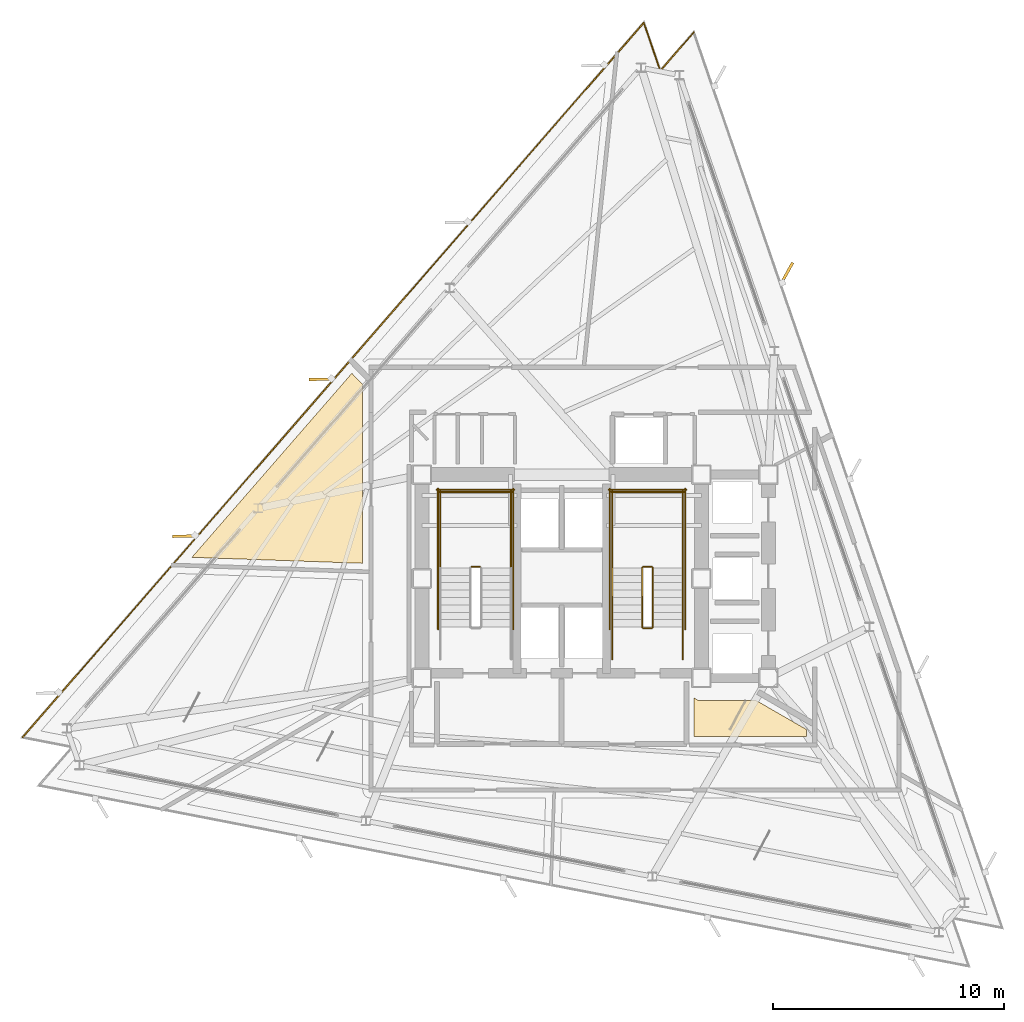
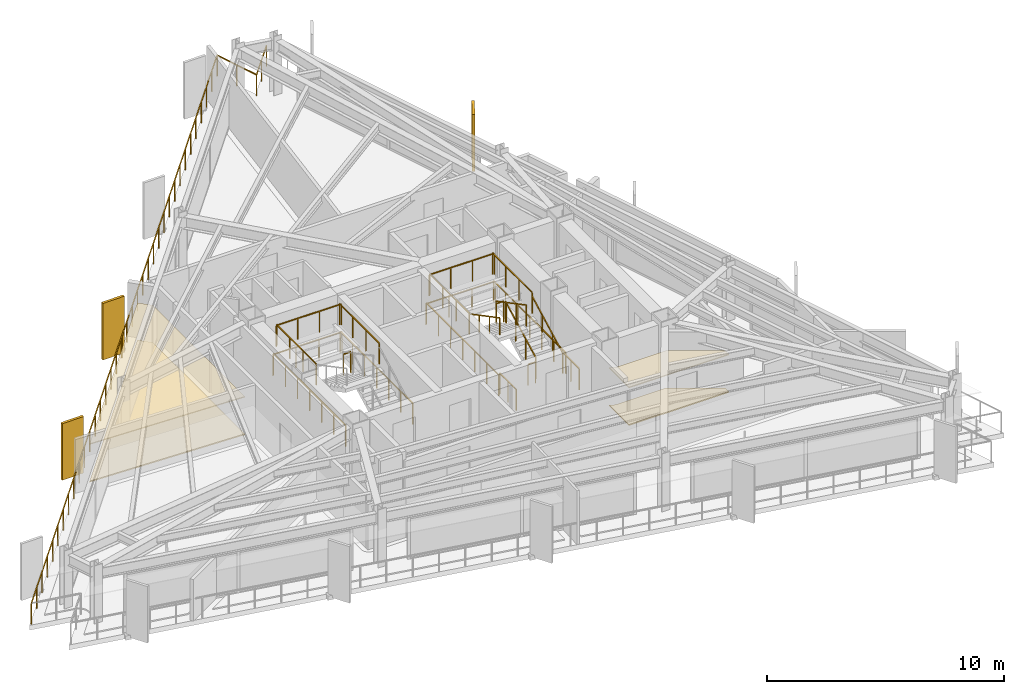
# One storey, part 12 of 13: 22 railings, 4 coverings, 3 shading devices.
"""IFC4 building model written with IfcOpenShell, lengths in metres."""

from ifc_helpers import new_model, si_unit, direction, frame, origin, origin_2d, place, context, subcontext, project, spatial, polyline, rectangle, outline, extrude, material, layer, layer_set, type_object, element, save


model = new_model("IFC4")

# Units and contexts
model_context = context("Model", 3, precision=1e-05, world=origin(), true_north=direction((0.0, 1.0)))
body_context = subcontext(model_context, "Body", "Model", "MODEL_VIEW")
ifc_project = project(units=[si_unit("LENGTHUNIT", "METRE"), si_unit("AREAUNIT", "SQUARE_METRE"), si_unit("VOLUMEUNIT", "CUBIC_METRE"), si_unit("PLANEANGLEUNIT", "RADIAN"), si_unit("MASSUNIT", "GRAM", prefix="KILO")], contexts=[model_context])

# Site, building, storey
site_placement = place(None, origin())
site = spatial("IfcSite", under=ifc_project, at=site_placement, CompositionType="ELEMENT")
building_placement = place(site_placement, origin())
building = spatial("IfcBuilding", under=site, at=building_placement, Name="Rocaltana Carrier Exchange", CompositionType="ELEMENT")
storey_placement = place(building_placement, frame((0.0, 0.0, 162.39990234375)))
storey = spatial("IfcBuildingStorey", under=building, at=storey_placement, Name="L51", CompositionType="ELEMENT", Elevation=162.39990234375)

# Coverings
ifc_material_1 = material(Name="Calcium Sulphate & Aluminium Pedestal", Category="aluminium")
ifc_layer_1 = layer(ifc_material_1, 0.06005859375)
ifc_layer_set_1 = layer_set([ifc_layer_1], Name="Calcium Sulphate & Aluminium Pedestal")
covering_type_1 = type_object("IfcCoveringType", Name="Anti-Static Raised Exchange Access Floor 60", PredefinedType="FLOORING", material=ifc_layer_set_1)
covering_1_placement = place(storey_placement, origin())
element("IfcCovering", 1, at=covering_1_placement, inside=storey, type_object=covering_type_1, Name="L51 Optical Switching Laboratory Finish Floor", PredefinedType="FLOORING", context=body_context, shape_type="SweptSolid", body=[
    extrude(outline(polyline([(5.739990234375, -6.840087890625), (5.739990234375, -5.161865234375), (5.748779296875, -5.170654296875), (5.760498046875, -5.18115234375), (5.78173828125, -5.198486328125), (5.794189453125, -5.2080078125), (5.817138671875, -5.22314453125), (5.83056640625, -5.231201171875), (5.85498046875, -5.244140625), (5.869140625, -5.2509765625), (5.894287109375, -5.261474609375), (5.9091796875, -5.2666015625), (5.935546875, -5.274658203125), (5.95068359375, -5.278564453125), (5.977783203125, -5.283935546875), (5.9931640625, -5.2861328125), (6.0205078125, -5.288818359375), (6.036376953125, -5.289794921875), (6.050048828125, -5.2900390625), (8.4423828125, -5.2900390625), (10.60009765625, -6.53564453125), (10.60009765625, -6.840087890625), (5.739990234375, -6.840087890625)])), origin(), (0.0, 0.0, 1.0), 0.06005859375),
])
covering_2_placement = place(storey_placement, origin())
element("IfcCovering", 2, at=covering_2_placement, inside=storey, type_object=covering_type_1, Name="L51 Quiet Focus Lounge Finish Floor", PredefinedType="FLOORING", context=body_context, shape_type="SweptSolid", body=[
    extrude(outline(polyline([(-9.08154296875, 8.885986328125), (-8.610107421875, 8.397705078125), (-8.610107421875, 0.660888671875), (-16.0068359375, 0.919189453125), (-9.08154296875, 8.885986328125)])), origin(), (0.0, 0.0, 1.0), 0.06005859375),
])
ifc_material_2 = material(Name="Mineral Fibre & Powder-Coated Aluminium", Category="aluminium")
ifc_layer_2 = layer(ifc_material_2, 0.044921875)
ifc_layer_set_2 = layer_set([ifc_layer_2], Name="Mineral Fibre & Powder-Coated Aluminium")
covering_type_2 = type_object("IfcCoveringType", Name="Micro-Perforated Acoustic Ceiling 45", PredefinedType="CEILING", material=ifc_layer_set_2)
covering_3_placement = place(storey_placement, frame((0.0, 0.0, 1.93310546875)))
element("IfcCovering", 3, at=covering_3_placement, inside=storey, type_object=covering_type_2, Name="L51 Optical Switching Laboratory Acoustic Ceiling", PredefinedType="CEILING", context=body_context, shape_type="SweptSolid", body=[
    extrude(outline(polyline([(5.739990234375, -6.840087890625), (5.739990234375, -5.161865234375), (5.748779296875, -5.170654296875), (5.760498046875, -5.18115234375), (5.78173828125, -5.198486328125), (5.794189453125, -5.2080078125), (5.817138671875, -5.22314453125), (5.83056640625, -5.231201171875), (5.85498046875, -5.244140625), (5.869140625, -5.2509765625), (5.894287109375, -5.261474609375), (5.9091796875, -5.2666015625), (5.935546875, -5.274658203125), (5.95068359375, -5.278564453125), (5.977783203125, -5.283935546875), (5.9931640625, -5.2861328125), (6.0205078125, -5.288818359375), (6.036376953125, -5.289794921875), (6.050048828125, -5.2900390625), (8.4423828125, -5.2900390625), (10.60009765625, -6.53564453125), (10.60009765625, -6.840087890625), (5.739990234375, -6.840087890625)])), origin(), (0.0, 0.0, 1.0), 0.044921875),
])
covering_4_placement = place(storey_placement, frame((0.0, 0.0, 1.93310546875)))
element("IfcCovering", 4, at=covering_4_placement, inside=storey, type_object=covering_type_2, Name="L51 Quiet Focus Lounge Acoustic Ceiling", PredefinedType="CEILING", context=body_context, shape_type="SweptSolid", body=[
    extrude(outline(polyline([(-9.08154296875, 8.885986328125), (-8.610107421875, 8.397705078125), (-8.610107421875, 0.660888671875), (-16.0068359375, 0.919189453125), (-9.08154296875, 8.885986328125)])), origin(), (0.0, 0.0, 1.0), 0.044921875),
])

# Railings
ifc_material_3 = material(Name="Brushed Architectural Stainless Tube", Category="steel")
ifc_layer_3 = layer(ifc_material_3, 0.048095703125)
ifc_layer_set_3 = layer_set([ifc_layer_3], Name="Brushed Architectural Stainless Tube")
railing_type_1 = type_object("IfcRailingType", Name="Stair Wall Handrail 920", PredefinedType="HANDRAIL", material=ifc_layer_set_3)
railing_1_placement = place(storey_placement, frame((5.25, -2.10009765625, 0.1689453125)))
element("IfcRailing", 5, at=railing_1_placement, inside=storey, type_object=railing_type_1, Name="L51 ST-2 stair handrail 1", PredefinedType="HANDRAIL", context=body_context, shape_type="SweptSolid", body=[
    extrude(rectangle(XDim=0.048095703125, YDim=0.048095703125, at=origin_2d()), frame((0.0, 0.0, 0.8759765625), z_axis=(0.0, 0.884394423565, 0.466740295633), x_axis=(-1.0, 0.0, 0.0)), (0.0, 0.0, 1.0), 2.894775390625),
    extrude(rectangle(XDim=0.0419921875, YDim=0.0419921875, at=origin_2d()), origin(), (0.0, 0.0, 1.0), 0.851806640625),
    extrude(rectangle(XDim=0.0419921875, YDim=0.0419921875, at=origin_2d()), frame((0.0, 0.853271484375, 0.450439453125)), (0.0, 0.0, 1.0), 0.851806640625),
    extrude(rectangle(XDim=0.0419921875, YDim=0.0419921875, at=origin_2d()), frame((0.0, 1.706787109375, 0.900634765625)), (0.0, 0.0, 1.0), 0.851806640625),
    extrude(rectangle(XDim=0.0419921875, YDim=0.0419921875, at=origin_2d()), frame((0.0, 2.56005859375, 1.35107421875)), (0.0, 0.0, 1.0), 0.851806640625),
])
railing_2_placement = place(storey_placement, frame((2.18994140625, 0.4599609375, 1.68896484375)))
element("IfcRailing", 6, at=railing_2_placement, inside=storey, type_object=railing_type_1, Name="L51 ST-2 stair handrail 2", PredefinedType="HANDRAIL", context=body_context, shape_type="SweptSolid", body=[
    extrude(rectangle(XDim=0.048095703125, YDim=0.048095703125, at=origin_2d()), frame((0.0, 0.0, 0.8759765625), z_axis=(0.0, -0.884394423565, 0.466740295633), x_axis=(1.0, 0.0, 0.0)), (0.0, 0.0, 1.0), 2.894775390625),
    extrude(rectangle(XDim=0.0419921875, YDim=0.0419921875, at=origin_2d()), origin(), (0.0, 0.0, 1.0), 0.851806640625),
    extrude(rectangle(XDim=0.0419921875, YDim=0.0419921875, at=origin_2d()), frame((0.0, -0.853271484375, 0.450439453125)), (0.0, 0.0, 1.0), 0.851806640625),
    extrude(rectangle(XDim=0.0419921875, YDim=0.0419921875, at=origin_2d()), frame((0.0, -1.706787109375, 0.900634765625)), (0.0, 0.0, 1.0), 0.851806640625),
    extrude(rectangle(XDim=0.0419921875, YDim=0.0419921875, at=origin_2d()), frame((0.0, -2.56005859375, 1.35107421875)), (0.0, 0.0, 1.0), 0.851806640625),
])
ifc_material_4 = material(Name="Powder-Coated Aluminium 6063-T6", Category="aluminium")
ifc_layer_4 = layer(ifc_material_4, 0.048095703125)
ifc_layer_set_4 = layer_set([ifc_layer_4], Name="Powder-Coated Aluminium 6063-T6")
railing_type_2 = type_object("IfcRailingType", Name="Stair Well Guardrail 1100", PredefinedType="GUARDRAIL", material=ifc_layer_set_4)
railing_3_placement = place(storey_placement, frame((-3.5400390625, 0.510009765625, 1.52001953125)))
element("IfcRailing", 7, at=railing_3_placement, inside=storey, type_object=railing_type_2, Name="L51 ST-1 stair guard 2", PredefinedType="GUARDRAIL", context=body_context, shape_type="SweptSolid", body=[
    extrude(rectangle(XDim=0.048095703125, YDim=0.048095703125, at=origin_2d()), frame((0.0, 0.0, 1.076171875), z_axis=(-1.0, 0.0, 0.0), x_axis=(0.0, -1.0, 0.0)), (0.0, 0.0, 1.0), 0.35986328125),
    extrude(rectangle(XDim=0.0419921875, YDim=0.0419921875, at=origin_2d()), origin(), (0.0, 0.0, 1.0), 1.052001953125),
    extrude(rectangle(XDim=0.0419921875, YDim=0.0419921875, at=origin_2d()), frame((-0.35986328125, 0.0, 0.0)), (0.0, 0.0, 1.0), 1.052001953125),
])
for number, where, name in (
    (8, (-2.18994140625, 0.4599609375, 1.52001953125), "L51 ST-1 stair guard 3"),
    (9, (-5.25, 0.4599609375, 1.52001953125), "L51 ST-1 stair guard 4"),
):
    element("IfcRailing", number, at=place(storey_placement, frame(where)), inside=storey, type_object=railing_type_2, Name=name, PredefinedType="GUARDRAIL", context=body_context, shape_type="SweptSolid", body=[
        extrude(rectangle(XDim=0.048095703125, YDim=0.048095703125, at=origin_2d()), frame((0.0, 0.0, 1.076171875), z_axis=(0.0, 1.0, 0.0), x_axis=(-1.0, 0.0, 0.0)), (0.0, 0.0, 1.0), 3.340087890625),
        extrude(rectangle(XDim=0.0419921875, YDim=0.0419921875, at=origin_2d()), origin(), (0.0, 0.0, 1.0), 1.052001953125),
        extrude(rectangle(XDim=0.0419921875, YDim=0.0419921875, at=origin_2d()), frame((0.0, 1.11328125, 0.0)), (0.0, 0.0, 1.0), 1.052001953125),
        extrude(rectangle(XDim=0.0419921875, YDim=0.0419921875, at=origin_2d()), frame((0.0, 2.226806640625, 0.0)), (0.0, 0.0, 1.0), 1.052001953125),
        extrude(rectangle(XDim=0.0419921875, YDim=0.0419921875, at=origin_2d()), frame((0.0, 3.340087890625, 0.0)), (0.0, 0.0, 1.0), 1.052001953125),
    ])
railing_4_placement = place(storey_placement, frame((-2.139892578125, 3.75, 1.52001953125)))
element("IfcRailing", 10, at=railing_4_placement, inside=storey, type_object=railing_type_2, Name="L51 ST-1 stair guard 5", PredefinedType="GUARDRAIL", context=body_context, shape_type="SweptSolid", body=[
    extrude(rectangle(XDim=0.048095703125, YDim=0.048095703125, at=origin_2d()), frame((0.0, 0.0, 1.076171875), z_axis=(-1.0, 0.0, 0.0), x_axis=(0.0, -1.0, 0.0)), (0.0, 0.0, 1.0), 3.16015625),
    extrude(rectangle(XDim=0.0419921875, YDim=0.0419921875, at=origin_2d()), origin(), (0.0, 0.0, 1.0), 1.052001953125),
    extrude(rectangle(XDim=0.0419921875, YDim=0.0419921875, at=origin_2d()), frame((-1.053466796875, 0.0, 0.0)), (0.0, 0.0, 1.0), 1.052001953125),
    extrude(rectangle(XDim=0.0419921875, YDim=0.0419921875, at=origin_2d()), frame((-2.106689453125, 0.0, 0.0)), (0.0, 0.0, 1.0), 1.052001953125),
    extrude(rectangle(XDim=0.0419921875, YDim=0.0419921875, at=origin_2d()), frame((-3.16015625, 0.0, 0.0)), (0.0, 0.0, 1.0), 1.052001953125),
])
for number, where, name in (
    (11, (-2.090087890625, -2.199951171875, 0.0), "L51 ST-1 stair guard 10"),
    (12, (-5.35009765625, -2.199951171875, 0.0), "L51 ST-1 stair guard 11"),
):
    element("IfcRailing", number, at=place(storey_placement, frame(where)), inside=storey, type_object=railing_type_2, Name=name, PredefinedType="GUARDRAIL", context=body_context, shape_type="SweptSolid", body=[
        extrude(rectangle(XDim=0.048095703125, YDim=0.048095703125, at=origin_2d()), frame((0.0, 0.0, 1.076171875), z_axis=(0.0, 1.0, 0.0), x_axis=(-1.0, 0.0, 0.0)), (0.0, 0.0, 1.0), 6.099853515625),
        extrude(rectangle(XDim=0.0419921875, YDim=0.0419921875, at=origin_2d()), origin(), (0.0, 0.0, 1.0), 1.052001953125),
        extrude(rectangle(XDim=0.0419921875, YDim=0.0419921875, at=origin_2d()), frame((0.0, 1.0166015625, 0.0)), (0.0, 0.0, 1.0), 1.052001953125),
        extrude(rectangle(XDim=0.0419921875, YDim=0.0419921875, at=origin_2d()), frame((0.0, 2.033203125, 0.0)), (0.0, 0.0, 1.0), 1.052001953125),
        extrude(rectangle(XDim=0.0419921875, YDim=0.0419921875, at=origin_2d()), frame((0.0, 3.0498046875, 0.0)), (0.0, 0.0, 1.0), 1.052001953125),
        extrude(rectangle(XDim=0.0419921875, YDim=0.0419921875, at=origin_2d()), frame((0.0, 4.066650390625, 0.0)), (0.0, 0.0, 1.0), 1.052001953125),
        extrude(rectangle(XDim=0.0419921875, YDim=0.0419921875, at=origin_2d()), frame((0.0, 5.083251953125, 0.0)), (0.0, 0.0, 1.0), 1.052001953125),
        extrude(rectangle(XDim=0.0419921875, YDim=0.0419921875, at=origin_2d()), frame((0.0, 6.099853515625, 0.0)), (0.0, 0.0, 1.0), 1.052001953125),
    ])
railing_5_placement = place(storey_placement, frame((-2.0400390625, 3.85009765625, 0.0)))
element("IfcRailing", 13, at=railing_5_placement, inside=storey, type_object=railing_type_2, Name="L51 ST-1 stair guard 12", PredefinedType="GUARDRAIL", context=body_context, shape_type="SweptSolid", body=[
    extrude(rectangle(XDim=0.048095703125, YDim=0.048095703125, at=origin_2d()), frame((0.0, 0.0, 1.076171875), z_axis=(-1.0, 0.0, 0.0), x_axis=(0.0, -1.0, 0.0)), (0.0, 0.0, 1.0), 3.35986328125),
    extrude(rectangle(XDim=0.0419921875, YDim=0.0419921875, at=origin_2d()), origin(), (0.0, 0.0, 1.0), 1.052001953125),
    extrude(rectangle(XDim=0.0419921875, YDim=0.0419921875, at=origin_2d()), frame((-1.119873046875, 0.0, 0.0)), (0.0, 0.0, 1.0), 1.052001953125),
    extrude(rectangle(XDim=0.0419921875, YDim=0.0419921875, at=origin_2d()), frame((-2.239990234375, 0.0, 0.0)), (0.0, 0.0, 1.0), 1.052001953125),
    extrude(rectangle(XDim=0.0419921875, YDim=0.0419921875, at=origin_2d()), frame((-3.35986328125, 0.0, 0.0)), (0.0, 0.0, 1.0), 1.052001953125),
])
railing_6_placement = place(storey_placement, frame((3.949951171875, -2.10009765625, 0.1689453125)))
element("IfcRailing", 14, at=railing_6_placement, inside=storey, type_object=railing_type_2, Name="L51 ST-2 stair guard 1", PredefinedType="GUARDRAIL", context=body_context, shape_type="SweptSolid", body=[
    extrude(rectangle(XDim=0.048095703125, YDim=0.048095703125, at=origin_2d()), frame((0.0, 0.0, 1.076171875), z_axis=(0.0, 0.884394423565, 0.466740295633), x_axis=(-1.0, 0.0, 0.0)), (0.0, 0.0, 1.0), 2.894775390625),
    extrude(rectangle(XDim=0.0419921875, YDim=0.0419921875, at=origin_2d()), origin(), (0.0, 0.0, 1.0), 1.052001953125),
    extrude(rectangle(XDim=0.0419921875, YDim=0.0419921875, at=origin_2d()), frame((0.0, 0.853271484375, 0.450439453125)), (0.0, 0.0, 1.0), 1.052001953125),
    extrude(rectangle(XDim=0.0419921875, YDim=0.0419921875, at=origin_2d()), frame((0.0, 1.706787109375, 0.900634765625)), (0.0, 0.0, 1.0), 1.052001953125),
    extrude(rectangle(XDim=0.0419921875, YDim=0.0419921875, at=origin_2d()), frame((0.0, 2.56005859375, 1.35107421875)), (0.0, 0.0, 1.0), 1.052001953125),
])
railing_7_placement = place(storey_placement, frame((3.89990234375, 0.510009765625, 1.52001953125)))
element("IfcRailing", 15, at=railing_7_placement, inside=storey, type_object=railing_type_2, Name="L51 ST-2 stair guard 2", PredefinedType="GUARDRAIL", context=body_context, shape_type="SweptSolid", body=[
    extrude(rectangle(XDim=0.048095703125, YDim=0.048095703125, at=origin_2d()), frame((0.0, 0.0, 1.076171875), z_axis=(-1.0, 0.0, 0.0), x_axis=(0.0, -1.0, 0.0)), (0.0, 0.0, 1.0), 0.35986328125),
    extrude(rectangle(XDim=0.0419921875, YDim=0.0419921875, at=origin_2d()), origin(), (0.0, 0.0, 1.0), 1.052001953125),
    extrude(rectangle(XDim=0.0419921875, YDim=0.0419921875, at=origin_2d()), frame((-0.35986328125, 0.0, 0.0)), (0.0, 0.0, 1.0), 1.052001953125),
])
for number, where, name in (
    (16, (5.25, 0.4599609375, 1.52001953125), "L51 ST-2 stair guard 3"),
    (17, (2.18994140625, 0.4599609375, 1.52001953125), "L51 ST-2 stair guard 4"),
):
    element("IfcRailing", number, at=place(storey_placement, frame(where)), inside=storey, type_object=railing_type_2, Name=name, PredefinedType="GUARDRAIL", context=body_context, shape_type="SweptSolid", body=[
        extrude(rectangle(XDim=0.048095703125, YDim=0.048095703125, at=origin_2d()), frame((0.0, 0.0, 1.076171875), z_axis=(0.0, 1.0, 0.0), x_axis=(-1.0, 0.0, 0.0)), (0.0, 0.0, 1.0), 3.340087890625),
        extrude(rectangle(XDim=0.0419921875, YDim=0.0419921875, at=origin_2d()), origin(), (0.0, 0.0, 1.0), 1.052001953125),
        extrude(rectangle(XDim=0.0419921875, YDim=0.0419921875, at=origin_2d()), frame((0.0, 1.11328125, 0.0)), (0.0, 0.0, 1.0), 1.052001953125),
        extrude(rectangle(XDim=0.0419921875, YDim=0.0419921875, at=origin_2d()), frame((0.0, 2.226806640625, 0.0)), (0.0, 0.0, 1.0), 1.052001953125),
        extrude(rectangle(XDim=0.0419921875, YDim=0.0419921875, at=origin_2d()), frame((0.0, 3.340087890625, 0.0)), (0.0, 0.0, 1.0), 1.052001953125),
    ])
railing_8_placement = place(storey_placement, frame((5.300048828125, 3.75, 1.52001953125)))
element("IfcRailing", 18, at=railing_8_placement, inside=storey, type_object=railing_type_2, Name="L51 ST-2 stair guard 5", PredefinedType="GUARDRAIL", context=body_context, shape_type="SweptSolid", body=[
    extrude(rectangle(XDim=0.048095703125, YDim=0.048095703125, at=origin_2d()), frame((0.0, 0.0, 1.076171875), z_axis=(-1.0, 0.0, 0.0), x_axis=(0.0, -1.0, 0.0)), (0.0, 0.0, 1.0), 3.16015625),
    extrude(rectangle(XDim=0.0419921875, YDim=0.0419921875, at=origin_2d()), origin(), (0.0, 0.0, 1.0), 1.052001953125),
    extrude(rectangle(XDim=0.0419921875, YDim=0.0419921875, at=origin_2d()), frame((-1.053466796875, 0.0, 0.0)), (0.0, 0.0, 1.0), 1.052001953125),
    extrude(rectangle(XDim=0.0419921875, YDim=0.0419921875, at=origin_2d()), frame((-2.106689453125, 0.0, 0.0)), (0.0, 0.0, 1.0), 1.052001953125),
    extrude(rectangle(XDim=0.0419921875, YDim=0.0419921875, at=origin_2d()), frame((-3.16015625, 0.0, 0.0)), (0.0, 0.0, 1.0), 1.052001953125),
])
railing_9_placement = place(storey_placement, frame((3.489990234375, 0.4599609375, 1.68896484375)))
element("IfcRailing", 19, at=railing_9_placement, inside=storey, type_object=railing_type_2, Name="L51 ST-2 stair guard 6", PredefinedType="GUARDRAIL", context=body_context, shape_type="SweptSolid", body=[
    extrude(rectangle(XDim=0.048095703125, YDim=0.048095703125, at=origin_2d()), frame((0.0, 0.0, 1.076171875), z_axis=(0.0, -0.884394423565, 0.466740295633), x_axis=(1.0, 0.0, 0.0)), (0.0, 0.0, 1.0), 2.894775390625),
    extrude(rectangle(XDim=0.0419921875, YDim=0.0419921875, at=origin_2d()), origin(), (0.0, 0.0, 1.0), 1.052001953125),
    extrude(rectangle(XDim=0.0419921875, YDim=0.0419921875, at=origin_2d()), frame((0.0, -0.853271484375, 0.450439453125)), (0.0, 0.0, 1.0), 1.052001953125),
    extrude(rectangle(XDim=0.0419921875, YDim=0.0419921875, at=origin_2d()), frame((0.0, -1.706787109375, 0.900634765625)), (0.0, 0.0, 1.0), 1.052001953125),
    extrude(rectangle(XDim=0.0419921875, YDim=0.0419921875, at=origin_2d()), frame((0.0, -2.56005859375, 1.35107421875)), (0.0, 0.0, 1.0), 1.052001953125),
])
railing_10_placement = place(storey_placement, frame((3.89990234375, -2.14990234375, 0.0)))
element("IfcRailing", 20, at=railing_10_placement, inside=storey, type_object=railing_type_2, Name="L51 ST-2 stair guard 7", PredefinedType="GUARDRAIL", context=body_context, shape_type="SweptSolid", body=[
    extrude(rectangle(XDim=0.048095703125, YDim=0.048095703125, at=origin_2d()), frame((0.0, 0.0, 1.076171875), z_axis=(-1.0, 0.0, 0.0), x_axis=(0.0, -1.0, 0.0)), (0.0, 0.0, 1.0), 0.35986328125),
    extrude(rectangle(XDim=0.0419921875, YDim=0.0419921875, at=origin_2d()), origin(), (0.0, 0.0, 1.0), 1.052001953125),
    extrude(rectangle(XDim=0.0419921875, YDim=0.0419921875, at=origin_2d()), frame((-0.35986328125, 0.0, 0.0)), (0.0, 0.0, 1.0), 1.052001953125),
])
for number, where, name in (
    (21, (5.25, -3.5, 0.0), "L51 ST-2 stair guard 8"),
    (22, (2.18994140625, -3.5, 0.0), "L51 ST-2 stair guard 9"),
):
    element("IfcRailing", number, at=place(storey_placement, frame(where)), inside=storey, type_object=railing_type_2, Name=name, PredefinedType="GUARDRAIL", context=body_context, shape_type="SweptSolid", body=[
        extrude(rectangle(XDim=0.048095703125, YDim=0.048095703125, at=origin_2d()), frame((0.0, 0.0, 1.076171875), z_axis=(0.0, 1.0, 0.0), x_axis=(-1.0, 0.0, 0.0)), (0.0, 0.0, 1.0), 1.39990234375),
        extrude(rectangle(XDim=0.0419921875, YDim=0.0419921875, at=origin_2d()), origin(), (0.0, 0.0, 1.0), 1.052001953125),
        extrude(rectangle(XDim=0.0419921875, YDim=0.0419921875, at=origin_2d()), frame((0.0, 0.699951171875, 0.0)), (0.0, 0.0, 1.0), 1.052001953125),
        extrude(rectangle(XDim=0.0419921875, YDim=0.0419921875, at=origin_2d()), frame((0.0, 1.39990234375, 0.0)), (0.0, 0.0, 1.0), 1.052001953125),
    ])
for number, where, name in (
    (23, (5.35009765625, -2.199951171875, 0.0), "L51 ST-2 stair guard 10"),
    (24, (2.090087890625, -2.199951171875, 0.0), "L51 ST-2 stair guard 11"),
):
    element("IfcRailing", number, at=place(storey_placement, frame(where)), inside=storey, type_object=railing_type_2, Name=name, PredefinedType="GUARDRAIL", context=body_context, shape_type="SweptSolid", body=[
        extrude(rectangle(XDim=0.048095703125, YDim=0.048095703125, at=origin_2d()), frame((0.0, 0.0, 1.076171875), z_axis=(0.0, 1.0, 0.0), x_axis=(-1.0, 0.0, 0.0)), (0.0, 0.0, 1.0), 6.099853515625),
        extrude(rectangle(XDim=0.0419921875, YDim=0.0419921875, at=origin_2d()), origin(), (0.0, 0.0, 1.0), 1.052001953125),
        extrude(rectangle(XDim=0.0419921875, YDim=0.0419921875, at=origin_2d()), frame((0.0, 1.0166015625, 0.0)), (0.0, 0.0, 1.0), 1.052001953125),
        extrude(rectangle(XDim=0.0419921875, YDim=0.0419921875, at=origin_2d()), frame((0.0, 2.033203125, 0.0)), (0.0, 0.0, 1.0), 1.052001953125),
        extrude(rectangle(XDim=0.0419921875, YDim=0.0419921875, at=origin_2d()), frame((0.0, 3.0498046875, 0.0)), (0.0, 0.0, 1.0), 1.052001953125),
        extrude(rectangle(XDim=0.0419921875, YDim=0.0419921875, at=origin_2d()), frame((0.0, 4.066650390625, 0.0)), (0.0, 0.0, 1.0), 1.052001953125),
        extrude(rectangle(XDim=0.0419921875, YDim=0.0419921875, at=origin_2d()), frame((0.0, 5.083251953125, 0.0)), (0.0, 0.0, 1.0), 1.052001953125),
        extrude(rectangle(XDim=0.0419921875, YDim=0.0419921875, at=origin_2d()), frame((0.0, 6.099853515625, 0.0)), (0.0, 0.0, 1.0), 1.052001953125),
    ])
railing_11_placement = place(storey_placement, frame((5.39990234375, 3.85009765625, 0.0)))
element("IfcRailing", 25, at=railing_11_placement, inside=storey, type_object=railing_type_2, Name="L51 ST-2 stair guard 12", PredefinedType="GUARDRAIL", context=body_context, shape_type="SweptSolid", body=[
    extrude(rectangle(XDim=0.048095703125, YDim=0.048095703125, at=origin_2d()), frame((0.0, 0.0, 1.076171875), z_axis=(-1.0, 0.0, 0.0), x_axis=(0.0, -1.0, 0.0)), (0.0, 0.0, 1.0), 3.35986328125),
    extrude(rectangle(XDim=0.0419921875, YDim=0.0419921875, at=origin_2d()), origin(), (0.0, 0.0, 1.0), 1.052001953125),
    extrude(rectangle(XDim=0.0419921875, YDim=0.0419921875, at=origin_2d()), frame((-1.119873046875, 0.0, 0.0)), (0.0, 0.0, 1.0), 1.052001953125),
    extrude(rectangle(XDim=0.0419921875, YDim=0.0419921875, at=origin_2d()), frame((-2.239990234375, 0.0, 0.0)), (0.0, 0.0, 1.0), 1.052001953125),
    extrude(rectangle(XDim=0.0419921875, YDim=0.0419921875, at=origin_2d()), frame((-3.35986328125, 0.0, 0.0)), (0.0, 0.0, 1.0), 1.052001953125),
])

# Shading devices
ifc_material_5 = material(Name="Honed Bogota Sandstone & Concrete C45/55", Category="masonry")
ifc_layer_5 = layer(ifc_material_5, 0.1201171875)
ifc_layer_set_5 = layer_set([ifc_layer_5], Name="Honed Bogota Sandstone & Concrete C45/55")
shading_device_type = type_object("IfcShadingDeviceType", Name="Upper Sandstone Shading Fin 1050x120", PredefinedType="USERDEFINED", material=ifc_layer_set_5)
for number, where, z_axis, x_axis, name in (
    (26, (9.75146484375, 13.219482421875, -0.1201171875), (0.0, 0.0, 1.0), (0.484809620246, 0.874619707139, 0.0), "L51 Sandstone Vertical Fin F1-04"),
    (27, (-10.419677734375, 8.627685546875, -0.1201171875), (0.0, 0.0, 1.0), (-0.999847695156, -0.017452406437, 0.0), "L51 Sandstone Vertical Fin F2-03"),
    (28, (-16.32421875, 1.835205078125, -0.1201171875), (0.0, 0.0, 1.0), (-0.999847695156, -0.017452406437, 0.0), "L51 Sandstone Vertical Fin F2-04"),
):
    element("IfcShadingDevice", number, at=place(storey_placement, frame(where, z_axis=z_axis, x_axis=x_axis)), inside=storey, type_object=shading_device_type, Name=name, ObjectType="FIN", PredefinedType="USERDEFINED", context=body_context, shape_type="SweptSolid", body=[
        extrude(rectangle(XDim=1.050048828125, YDim=0.1201171875, at=origin_2d()), origin(), (0.0, 0.0, 1.0), 2.907958984375),
    ])

# Railing
ifc_material_6 = material(Name="Powder-Coated Aluminium 6063-T6", Category="aluminium")
ifc_layer_6 = layer(ifc_material_6, 0.06005859375)
ifc_layer_set_6 = layer_set([ifc_layer_6], Name="Powder-Coated Aluminium 6063-T6")
railing_type_3 = type_object("IfcRailingType", Name="Wind-Floor & Terrace Perimeter Guardrail 1100", PredefinedType="GUARDRAIL", material=ifc_layer_set_6)
railing_12_placement = place(storey_placement, frame((-23.3359375, -6.871826171875, 0.0)))
element("IfcRailing", 29, at=railing_12_placement, inside=storey, type_object=railing_type_3, Name="L51 Perimeter Balcony Guardrail 2", PredefinedType="GUARDRAIL", context=body_context, shape_type="SweptSolid", body=[
    extrude(rectangle(XDim=0.048095703125, YDim=0.048095703125, at=origin_2d()), frame((0.0, 0.0, 1.076171875), z_axis=(0.656058089841, 0.754710396612, 0.0), x_axis=(-0.754710396612, 0.656058089841, 0.0)), (0.0, 0.0, 1.0), 40.991943359375),
    extrude(rectangle(XDim=0.048095703125, YDim=0.048095703125, at=origin_2d()), frame((26.89306640625, 30.93701171875, 1.076171875), z_axis=(0.325600768791, -0.945507344955, 0.0), x_axis=(0.945507344955, 0.325600768791, 0.0)), (0.0, 0.0, 1.0), 2.199951171875),
    extrude(rectangle(XDim=0.048095703125, YDim=0.048095703125, at=origin_2d()), frame((27.609375, 28.85693359375, 1.076171875), z_axis=(0.656057821484, 0.75471062989, 0.0), x_axis=(-0.75471062989, 0.656057821484, 0.0)), (0.0, 0.0, 1.0), 2.199951171875),
    extrude(rectangle(XDim=0.0419921875, YDim=0.0419921875, at=origin_2d()), origin(), (0.0, 0.0, 1.0), 1.052001953125),
    extrude(rectangle(XDim=0.0419921875, YDim=0.0419921875, at=origin_2d()), frame((0.768310546875, 0.884033203125, 0.0)), (0.0, 0.0, 1.0), 1.052001953125),
    extrude(rectangle(XDim=0.0419921875, YDim=0.0419921875, at=origin_2d()), frame((1.536865234375, 1.767822265625, 0.0)), (0.0, 0.0, 1.0), 1.052001953125),
    extrude(rectangle(XDim=0.0419921875, YDim=0.0419921875, at=origin_2d()), frame((2.30517578125, 2.65185546875, 0.0)), (0.0, 0.0, 1.0), 1.052001953125),
    extrude(rectangle(XDim=0.0419921875, YDim=0.0419921875, at=origin_2d()), frame((3.073486328125, 3.53564453125, 0.0)), (0.0, 0.0, 1.0), 1.052001953125),
    extrude(rectangle(XDim=0.0419921875, YDim=0.0419921875, at=origin_2d()), frame((3.841796875, 4.419677734375, 0.0)), (0.0, 0.0, 1.0), 1.052001953125),
    extrude(rectangle(XDim=0.0419921875, YDim=0.0419921875, at=origin_2d()), frame((4.6103515625, 5.303466796875, 0.0)), (0.0, 0.0, 1.0), 1.052001953125),
    extrude(rectangle(XDim=0.0419921875, YDim=0.0419921875, at=origin_2d()), frame((5.378662109375, 6.1875, 0.0)), (0.0, 0.0, 1.0), 1.052001953125),
    extrude(rectangle(XDim=0.0419921875, YDim=0.0419921875, at=origin_2d()), frame((6.14697265625, 7.0712890625, 0.0)), (0.0, 0.0, 1.0), 1.052001953125),
    extrude(rectangle(XDim=0.0419921875, YDim=0.0419921875, at=origin_2d()), frame((6.915283203125, 7.955322265625, 0.0)), (0.0, 0.0, 1.0), 1.052001953125),
    extrude(rectangle(XDim=0.0419921875, YDim=0.0419921875, at=origin_2d()), frame((7.683837890625, 8.839111328125, 0.0)), (0.0, 0.0, 1.0), 1.052001953125),
    extrude(rectangle(XDim=0.0419921875, YDim=0.0419921875, at=origin_2d()), frame((8.4521484375, 9.72314453125, 0.0)), (0.0, 0.0, 1.0), 1.052001953125),
    extrude(rectangle(XDim=0.0419921875, YDim=0.0419921875, at=origin_2d()), frame((9.220458984375, 10.60693359375, 0.0)), (0.0, 0.0, 1.0), 1.052001953125),
    extrude(rectangle(XDim=0.0419921875, YDim=0.0419921875, at=origin_2d()), frame((9.98876953125, 11.490966796875, 0.0)), (0.0, 0.0, 1.0), 1.052001953125),
    extrude(rectangle(XDim=0.0419921875, YDim=0.0419921875, at=origin_2d()), frame((10.75732421875, 12.374755859375, 0.0)), (0.0, 0.0, 1.0), 1.052001953125),
    extrude(rectangle(XDim=0.0419921875, YDim=0.0419921875, at=origin_2d()), frame((11.525634765625, 13.2587890625, 0.0)), (0.0, 0.0, 1.0), 1.052001953125),
    extrude(rectangle(XDim=0.0419921875, YDim=0.0419921875, at=origin_2d()), frame((12.2939453125, 14.142578125, 0.0)), (0.0, 0.0, 1.0), 1.052001953125),
    extrude(rectangle(XDim=0.0419921875, YDim=0.0419921875, at=origin_2d()), frame((13.062255859375, 15.026611328125, 0.0)), (0.0, 0.0, 1.0), 1.052001953125),
    extrude(rectangle(XDim=0.0419921875, YDim=0.0419921875, at=origin_2d()), frame((13.830810546875, 15.910400390625, 0.0)), (0.0, 0.0, 1.0), 1.052001953125),
    extrude(rectangle(XDim=0.0419921875, YDim=0.0419921875, at=origin_2d()), frame((14.59912109375, 16.79443359375, 0.0)), (0.0, 0.0, 1.0), 1.052001953125),
    extrude(rectangle(XDim=0.0419921875, YDim=0.0419921875, at=origin_2d()), frame((15.367431640625, 17.67822265625, 0.0)), (0.0, 0.0, 1.0), 1.052001953125),
    extrude(rectangle(XDim=0.0419921875, YDim=0.0419921875, at=origin_2d()), frame((16.1357421875, 18.562255859375, 0.0)), (0.0, 0.0, 1.0), 1.052001953125),
    extrude(rectangle(XDim=0.0419921875, YDim=0.0419921875, at=origin_2d()), frame((16.904296875, 19.446044921875, 0.0)), (0.0, 0.0, 1.0), 1.052001953125),
    extrude(rectangle(XDim=0.0419921875, YDim=0.0419921875, at=origin_2d()), frame((17.672607421875, 20.330078125, 0.0)), (0.0, 0.0, 1.0), 1.052001953125),
    extrude(rectangle(XDim=0.0419921875, YDim=0.0419921875, at=origin_2d()), frame((18.44091796875, 21.2138671875, 0.0)), (0.0, 0.0, 1.0), 1.052001953125),
    extrude(rectangle(XDim=0.0419921875, YDim=0.0419921875, at=origin_2d()), frame((19.209228515625, 22.097900390625, 0.0)), (0.0, 0.0, 1.0), 1.052001953125),
    extrude(rectangle(XDim=0.0419921875, YDim=0.0419921875, at=origin_2d()), frame((19.977783203125, 22.981689453125, 0.0)), (0.0, 0.0, 1.0), 1.052001953125),
    extrude(rectangle(XDim=0.0419921875, YDim=0.0419921875, at=origin_2d()), frame((20.74609375, 23.86572265625, 0.0)), (0.0, 0.0, 1.0), 1.052001953125),
    extrude(rectangle(XDim=0.0419921875, YDim=0.0419921875, at=origin_2d()), frame((21.514404296875, 24.74951171875, 0.0)), (0.0, 0.0, 1.0), 1.052001953125),
    extrude(rectangle(XDim=0.0419921875, YDim=0.0419921875, at=origin_2d()), frame((22.28271484375, 25.633544921875, 0.0)), (0.0, 0.0, 1.0), 1.052001953125),
    extrude(rectangle(XDim=0.0419921875, YDim=0.0419921875, at=origin_2d()), frame((23.05126953125, 26.517333984375, 0.0)), (0.0, 0.0, 1.0), 1.052001953125),
    extrude(rectangle(XDim=0.0419921875, YDim=0.0419921875, at=origin_2d()), frame((23.819580078125, 27.4013671875, 0.0)), (0.0, 0.0, 1.0), 1.052001953125),
    extrude(rectangle(XDim=0.0419921875, YDim=0.0419921875, at=origin_2d()), frame((24.587890625, 28.28515625, 0.0)), (0.0, 0.0, 1.0), 1.052001953125),
    extrude(rectangle(XDim=0.0419921875, YDim=0.0419921875, at=origin_2d()), frame((25.356201171875, 29.169189453125, 0.0)), (0.0, 0.0, 1.0), 1.052001953125),
    extrude(rectangle(XDim=0.0419921875, YDim=0.0419921875, at=origin_2d()), frame((26.124755859375, 30.052978515625, 0.0)), (0.0, 0.0, 1.0), 1.052001953125),
    extrude(rectangle(XDim=0.0419921875, YDim=0.0419921875, at=origin_2d()), frame((26.89306640625, 30.93701171875, 0.0)), (0.0, 0.0, 1.0), 1.052001953125),
    extrude(rectangle(XDim=0.0419921875, YDim=0.0419921875, at=origin_2d()), frame((27.251220703125, 29.89697265625, 0.0)), (0.0, 0.0, 1.0), 1.052001953125),
    extrude(rectangle(XDim=0.0419921875, YDim=0.0419921875, at=origin_2d()), frame((27.609375, 28.85693359375, 0.0)), (0.0, 0.0, 1.0), 1.052001953125),
    extrude(rectangle(XDim=0.0419921875, YDim=0.0419921875, at=origin_2d()), frame((28.3310546875, 29.68701171875, 0.0)), (0.0, 0.0, 1.0), 1.052001953125),
    extrude(rectangle(XDim=0.0419921875, YDim=0.0419921875, at=origin_2d()), frame((29.052734375, 30.517333984375, 0.0)), (0.0, 0.0, 1.0), 1.052001953125),
])

save(model, "model.ifc")
